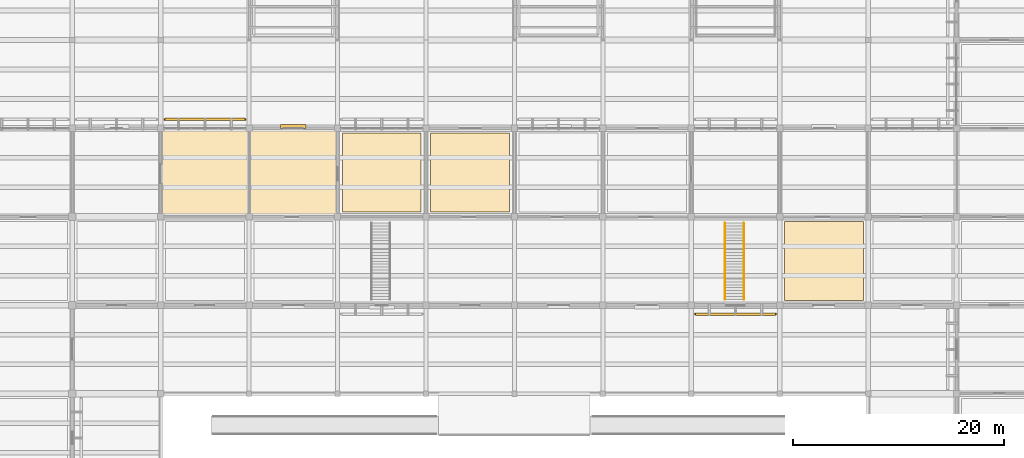
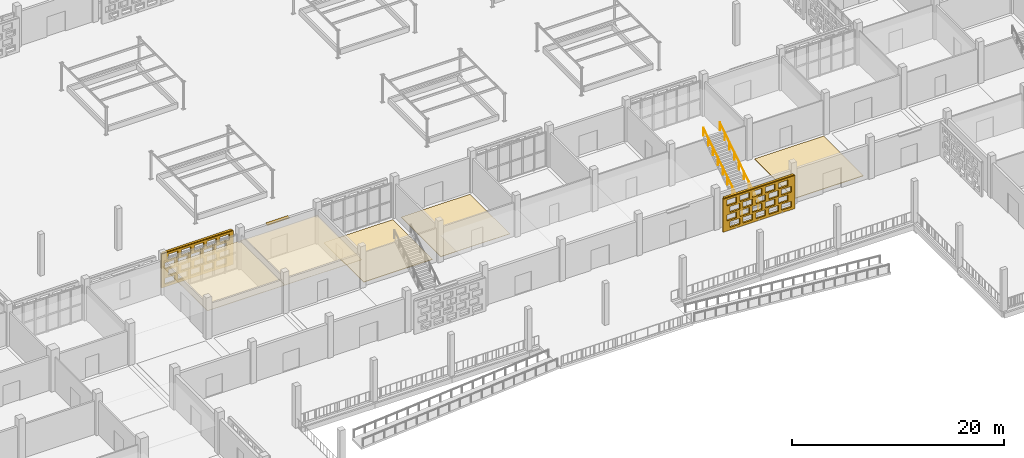
# One storey, part 93 of 129: 7 coverings, 3 shading devices, 2 railings, 40 openings.
"""IFC4 building model written with IfcOpenShell, lengths in metres."""

from ifc_helpers import new_model, si_unit, direction, frame, frame_2d, origin, origin_2d, place, context, subcontext, project, spatial, rectangle, circle, extrude, material, layer, layer_set, type_object, element, save


model = new_model("IFC4")

# Units and contexts
model_context = context("Model", 3, precision=1e-05, world=origin(), true_north=direction((0.0, 1.0)))
body_context = subcontext(model_context, "Body", "Model", "MODEL_VIEW")
ifc_project = project(units=[si_unit("LENGTHUNIT", "METRE"), si_unit("AREAUNIT", "SQUARE_METRE"), si_unit("VOLUMEUNIT", "CUBIC_METRE"), si_unit("PLANEANGLEUNIT", "RADIAN"), si_unit("MASSUNIT", "GRAM", prefix="KILO")], contexts=[model_context])

# Site, building, storey
site_placement = place(None, origin())
site = spatial("IfcSite", under=ifc_project, at=site_placement, CompositionType="ELEMENT")
building_placement = place(site_placement, origin())
building = spatial("IfcBuilding", under=site, at=building_placement, Name="Varnapada Polytechnic", CompositionType="ELEMENT")
storey_placement = place(building_placement, origin())
storey = spatial("IfcBuildingStorey", under=building, at=storey_placement, Name="L00", CompositionType="ELEMENT", Elevation=0.0)

# Coverings
ifc_material_1 = material(Name="Anti-Static Raised Laboratory Flooring")
ifc_layer_1 = layer(ifc_material_1, 0.06005859375)
ifc_layer_set_1 = layer_set([ifc_layer_1], Name="Anti-Static Raised Laboratory Flooring")
covering_type_1 = type_object("IfcCoveringType", Name="Floor Finish FLR-02", PredefinedType="FLOORING", material=ifc_layer_set_1)
for number, where, z_axis, x_axis, name in (
    (1, (79.800048828125, 37.800048828125, 0.0), (0.0, 0.0, 1.0), (1.0, 0.0, 0.0), "L00 floor finish panel (10,5)"),
    (2, (121.800048828125, 29.39990234375, 0.0), (0.0, 0.0, 1.0), (1.0, 0.0, 0.0), "L00 floor finish panel (15,4)"),
):
    element("IfcCovering", number, at=place(storey_placement, frame(where, z_axis=z_axis, x_axis=x_axis)), inside=storey, type_object=covering_type_1, Name=name, PredefinedType="FLOORING", context=body_context, shape_type="SweptSolid", body=[
        extrude(rectangle(XDim=7.5, YDim=7.5, at=origin_2d()), origin(), (0.0, 0.0, 1.0), 0.06005859375),
    ])
ifc_material_2 = material(Name="Acoustic Rubber Seminar Flooring")
ifc_layer_2 = layer(ifc_material_2, 0.0400390625)
ifc_layer_set_2 = layer_set([ifc_layer_2], Name="Acoustic Rubber Seminar Flooring")
covering_type_2 = type_object("IfcCoveringType", Name="Floor Finish FLR-06", PredefinedType="FLOORING", material=ifc_layer_set_2)
covering_1_placement = place(storey_placement, frame((88.199951171875, 37.800048828125, 0.0), z_axis=(0.0, 0.0, 1.0), x_axis=(1.0, 0.0, 0.0)))
element("IfcCovering", 3, at=covering_1_placement, inside=storey, type_object=covering_type_2, Name="L00 floor finish panel (11,5)", PredefinedType="FLOORING", context=body_context, shape_type="SweptSolid", body=[
    extrude(rectangle(XDim=7.5, YDim=7.5, at=origin_2d()), origin(), (0.0, 0.0, 1.0), 0.0400390625),
])

# Shading device
ifc_material_3 = material(Name="Anodised aluminium", Category="aluminium")
ifc_layer_3 = layer(ifc_material_3, 0.35009765625)
ifc_layer_set_3 = layer_set([ifc_layer_3], Name="Anodised aluminium")
shading_device_type_1 = type_object("IfcShadingDeviceType", Name="Solar Louvre LVR-01", PredefinedType="JALOUSIE", material=ifc_layer_set_3)
shading_device_placement = place(storey_placement, frame((71.39990234375, 42.179931640625, 3.760009765625), z_axis=(0.0, 0.0, 1.0), x_axis=(1.0, 0.0, 0.0)))
element("IfcShadingDevice", 4, at=shading_device_placement, inside=storey, type_object=shading_device_type_1, Name="L00 aluminium sun louvre 49", PredefinedType="JALOUSIE", context=body_context, shape_type="SweptSolid", body=[
    extrude(rectangle(XDim=2.39990234375, YDim=0.340087890625, at=origin_2d()), origin(), (0.0, 0.0, 1.0), 0.1201171875),
])

# Railings
ifc_material_4 = material(Name="Brushed Stainless Steel 316", Category="steel")
railing_type = type_object("IfcRailingType", Name="Stair Wall Handrail SHR-01", PredefinedType="HANDRAIL", material=ifc_material_4)
for number, where, name in (
    (5, (112.409912109375, 25.75, 0.177734375), "L00 commons stair ST-F6 handrail L"),
    (6, (114.18994140625, 25.75, 0.177734375), "L00 commons stair ST-F6 handrail R"),
):
    element("IfcRailing", number, at=place(storey_placement, frame(where)), inside=storey, type_object=railing_type, Name=name, PredefinedType="HANDRAIL", context=body_context, shape_type="SweptSolid", body=[
        extrude(circle(Radius=0.02392578125, at=origin_2d()), frame((0.0, 0.0, 0.8759765625), z_axis=(0.0, 0.84320402991, 0.537593679226), x_axis=(-1.0, 0.0, 0.0)), (0.0, 0.0, 1.0), 8.59814453125),
        extrude(circle(Radius=0.02099609375, at=origin_2d()), origin(), (0.0, 0.0, 1.0), 0.851806640625),
        extrude(circle(Radius=0.02099609375, at=origin_2d()), frame((0.0, 0.90625, 0.577880859375)), (0.0, 0.0, 1.0), 0.851806640625),
        extrude(circle(Radius=0.02099609375, at=origin_2d()), frame((0.0, 1.8125, 1.155517578125)), (0.0, 0.0, 1.0), 0.851806640625),
        extrude(circle(Radius=0.02099609375, at=origin_2d()), frame((0.0, 2.71875, 1.7333984375)), (0.0, 0.0, 1.0), 0.851806640625),
        extrude(circle(Radius=0.02099609375, at=origin_2d()), frame((0.0, 3.625, 2.31103515625)), (0.0, 0.0, 1.0), 0.851806640625),
        extrude(circle(Radius=0.02099609375, at=origin_2d()), frame((0.0, 4.53125, 2.888916015625)), (0.0, 0.0, 1.0), 0.851806640625),
        extrude(circle(Radius=0.02099609375, at=origin_2d()), frame((0.0, 5.4375, 3.466796875)), (0.0, 0.0, 1.0), 0.851806640625),
        extrude(circle(Radius=0.02099609375, at=origin_2d()), frame((0.0, 6.34375, 4.04443359375)), (0.0, 0.0, 1.0), 0.851806640625),
        extrude(circle(Radius=0.02099609375, at=origin_2d()), frame((0.0, 7.25, 4.622314453125)), (0.0, 0.0, 1.0), 0.851806640625),
    ])

# Coverings
ifc_material_5 = material(Name="Perforated Timber Slatted Baffle Ceiling", Category="wood")
ifc_layer_4 = layer(ifc_material_5, 0.050048828125)
ifc_layer_set_4 = layer_set([ifc_layer_4], Name="Perforated Timber Slatted Baffle Ceiling")
covering_type_3 = type_object("IfcCoveringType", Name="Suspended Ceiling CLG-02", PredefinedType="CEILING", material=ifc_layer_set_4)
covering_2_placement = place(storey_placement, frame((63.0, 37.800048828125, 3.02490234375), z_axis=(0.0, 0.0, 1.0), x_axis=(1.0, 0.0, 0.0)))
element("IfcCovering", 7, at=covering_2_placement, inside=storey, type_object=covering_type_3, Name="L00 suspended acoustic ceiling (8,5)", PredefinedType="CEILING", context=body_context, shape_type="SweptSolid", body=[
    extrude(rectangle(XDim=8.419921875, YDim=8.419921875, at=origin_2d()), origin(), (0.0, 0.0, 1.0), 0.050048828125),
])
ifc_material_6 = material(Name="Cleanroom Laboratory Metal Pan Ceiling")
ifc_layer_5 = layer(ifc_material_6, 0.034912109375)
ifc_layer_set_5 = layer_set([ifc_layer_5], Name="Cleanroom Laboratory Metal Pan Ceiling")
covering_type_4 = type_object("IfcCoveringType", Name="Suspended Ceiling CLG-06", PredefinedType="CEILING", material=ifc_layer_set_5)
covering_3_placement = place(storey_placement, frame((71.39990234375, 37.800048828125, 3.03271484375), z_axis=(0.0, 0.0, 1.0), x_axis=(1.0, 0.0, 0.0)))
element("IfcCovering", 8, at=covering_3_placement, inside=storey, type_object=covering_type_4, Name="L00 suspended acoustic ceiling (9,5)", PredefinedType="CEILING", context=body_context, shape_type="SweptSolid", body=[
    extrude(rectangle(XDim=8.419921875, YDim=8.419921875, at=origin_2d()), origin(), (0.0, 0.0, 1.0), 0.034912109375),
])

# Covering, openings
ifc_material_7 = material(Name="Earth-toned architectural terracotta screen block", Category="masonry")
ifc_layer_6 = layer(ifc_material_7, 0.1201171875)
ifc_layer_set_6 = layer_set([ifc_layer_6], Name="Earth-toned architectural terracotta screen block")
covering_type_5 = type_object("IfcCoveringType", Name="Terracotta Screen Cladding CLD-01", PredefinedType="CLADDING", material=ifc_layer_set_6)
covering_4_placement = place(storey_placement, frame((59.10009765625, 42.85009765625, 0.0), z_axis=(0.0, 0.0, 1.0), x_axis=(1.0, 0.0, 0.0)))
covering_4 = element("IfcCovering", 9, at=covering_4_placement, inside=storey, type_object=covering_type_5, Name="L00 perforated terracotta block screen (45)", PredefinedType="CLADDING", context=body_context, shape_type="SweptSolid", body=[
    extrude(rectangle(XDim=7.7998046875, YDim=0.179931640625, at=frame_2d((3.89990234375, 0.0))), origin(), (0.0, 0.0, 1.0), 3.919921875),
])
opening_1_placement = place(covering_4_placement, frame((0.39990234375, 0.0, 0.313720703125)))
element("IfcOpeningElement", 10, at=opening_1_placement, cuts=covering_4, Name="Screen perforation TBS-L00-044.1", PredefinedType="OPENING", context=body_context, shape_type="SweptSolid", body=[
    extrude(rectangle(XDim=1.0400390625, YDim=0.679931640625, at=frame_2d((0.52001953125, 0.33984375))), frame((0.0, 0.099853515625, 0.0), z_axis=(0.0, -1.0, 0.0), x_axis=(1.0, 0.0, 0.0)), (0.0, 0.0, 1.0), 0.199951171875),
])
opening_2_placement = place(covering_4_placement, frame((1.800048828125, 0.0, 0.313720703125)))
element("IfcOpeningElement", 11, at=opening_2_placement, cuts=covering_4, Name="Screen perforation TBS-L00-044.2", PredefinedType="OPENING", context=body_context, shape_type="SweptSolid", body=[
    extrude(rectangle(XDim=1.0400390625, YDim=0.679931640625, at=frame_2d((0.52001953125, 0.33984375))), frame((0.0, 0.099853515625, 0.0), z_axis=(0.0, -1.0, 0.0), x_axis=(1.0, 0.0, 0.0)), (0.0, 0.0, 1.0), 0.199951171875),
])
opening_3_placement = place(covering_4_placement, frame((3.199951171875, 0.0, 0.313720703125)))
element("IfcOpeningElement", 12, at=opening_3_placement, cuts=covering_4, Name="Screen perforation TBS-L00-044.3", PredefinedType="OPENING", context=body_context, shape_type="SweptSolid", body=[
    extrude(rectangle(XDim=1.0400390625, YDim=0.679931640625, at=frame_2d((0.52001953125, 0.33984375))), frame((0.0, 0.099853515625, 0.0), z_axis=(0.0, -1.0, 0.0), x_axis=(1.0, 0.0, 0.0)), (0.0, 0.0, 1.0), 0.199951171875),
])
opening_4_placement = place(covering_4_placement, frame((4.60009765625, 0.0, 0.313720703125)))
element("IfcOpeningElement", 13, at=opening_4_placement, cuts=covering_4, Name="Screen perforation TBS-L00-044.4", PredefinedType="OPENING", context=body_context, shape_type="SweptSolid", body=[
    extrude(rectangle(XDim=1.0400390625, YDim=0.679931640625, at=frame_2d((0.52001953125, 0.33984375))), frame((0.0, 0.099853515625, 0.0), z_axis=(0.0, -1.0, 0.0), x_axis=(1.0, 0.0, 0.0)), (0.0, 0.0, 1.0), 0.199951171875),
])
opening_5_placement = place(covering_4_placement, frame((6.0, 0.0, 0.313720703125)))
element("IfcOpeningElement", 14, at=opening_5_placement, cuts=covering_4, Name="Screen perforation TBS-L00-044.5", PredefinedType="OPENING", context=body_context, shape_type="SweptSolid", body=[
    extrude(rectangle(XDim=1.0400390625, YDim=0.679931640625, at=frame_2d((0.52001953125, 0.33984375))), frame((0.0, 0.099853515625, 0.0), z_axis=(0.0, -1.0, 0.0), x_axis=(1.0, 0.0, 0.0)), (0.0, 0.0, 1.0), 0.199951171875),
])
opening_6_placement = place(covering_4_placement, frame((0.760009765625, 0.0, 1.195556640625)))
element("IfcOpeningElement", 15, at=opening_6_placement, cuts=covering_4, Name="Screen perforation TBS-L00-044.6", PredefinedType="OPENING", context=body_context, shape_type="SweptSolid", body=[
    extrude(rectangle(XDim=1.0400390625, YDim=0.679931640625, at=frame_2d((0.52001953125, 0.33984375))), frame((0.0, 0.099853515625, 0.0), z_axis=(0.0, -1.0, 0.0), x_axis=(1.0, 0.0, 0.0)), (0.0, 0.0, 1.0), 0.199951171875),
])
opening_7_placement = place(covering_4_placement, frame((2.159912109375, 0.0, 1.195556640625)))
element("IfcOpeningElement", 16, at=opening_7_placement, cuts=covering_4, Name="Screen perforation TBS-L00-044.7", PredefinedType="OPENING", context=body_context, shape_type="SweptSolid", body=[
    extrude(rectangle(XDim=1.0400390625, YDim=0.679931640625, at=frame_2d((0.52001953125, 0.33984375))), frame((0.0, 0.099853515625, 0.0), z_axis=(0.0, -1.0, 0.0), x_axis=(1.0, 0.0, 0.0)), (0.0, 0.0, 1.0), 0.199951171875),
])
opening_8_placement = place(covering_4_placement, frame((3.56005859375, 0.0, 1.195556640625)))
element("IfcOpeningElement", 17, at=opening_8_placement, cuts=covering_4, Name="Screen perforation TBS-L00-044.8", PredefinedType="OPENING", context=body_context, shape_type="SweptSolid", body=[
    extrude(rectangle(XDim=1.0400390625, YDim=0.679931640625, at=frame_2d((0.52001953125, 0.33984375))), frame((0.0, 0.099853515625, 0.0), z_axis=(0.0, -1.0, 0.0), x_axis=(1.0, 0.0, 0.0)), (0.0, 0.0, 1.0), 0.199951171875),
])
opening_9_placement = place(covering_4_placement, frame((4.9599609375, 0.0, 1.195556640625)))
element("IfcOpeningElement", 18, at=opening_9_placement, cuts=covering_4, Name="Screen perforation TBS-L00-044.9", PredefinedType="OPENING", context=body_context, shape_type="SweptSolid", body=[
    extrude(rectangle(XDim=1.0400390625, YDim=0.679931640625, at=frame_2d((0.52001953125, 0.33984375))), frame((0.0, 0.099853515625, 0.0), z_axis=(0.0, -1.0, 0.0), x_axis=(1.0, 0.0, 0.0)), (0.0, 0.0, 1.0), 0.199951171875),
])
opening_10_placement = place(covering_4_placement, frame((6.360107421875, 0.0, 1.195556640625)))
element("IfcOpeningElement", 19, at=opening_10_placement, cuts=covering_4, Name="Screen perforation TBS-L00-044.10", PredefinedType="OPENING", context=body_context, shape_type="SweptSolid", body=[
    extrude(rectangle(XDim=1.0400390625, YDim=0.679931640625, at=frame_2d((0.52001953125, 0.33984375))), frame((0.0, 0.099853515625, 0.0), z_axis=(0.0, -1.0, 0.0), x_axis=(1.0, 0.0, 0.0)), (0.0, 0.0, 1.0), 0.199951171875),
])
opening_11_placement = place(covering_4_placement, frame((0.39990234375, 0.0, 2.07763671875)))
element("IfcOpeningElement", 20, at=opening_11_placement, cuts=covering_4, Name="Screen perforation TBS-L00-044.11", PredefinedType="OPENING", context=body_context, shape_type="SweptSolid", body=[
    extrude(rectangle(XDim=1.0400390625, YDim=0.679931640625, at=frame_2d((0.52001953125, 0.33984375))), frame((0.0, 0.099853515625, 0.0), z_axis=(0.0, -1.0, 0.0), x_axis=(1.0, 0.0, 0.0)), (0.0, 0.0, 1.0), 0.199951171875),
])
opening_12_placement = place(covering_4_placement, frame((1.800048828125, 0.0, 2.07763671875)))
element("IfcOpeningElement", 21, at=opening_12_placement, cuts=covering_4, Name="Screen perforation TBS-L00-044.12", PredefinedType="OPENING", context=body_context, shape_type="SweptSolid", body=[
    extrude(rectangle(XDim=1.0400390625, YDim=0.679931640625, at=frame_2d((0.52001953125, 0.33984375))), frame((0.0, 0.099853515625, 0.0), z_axis=(0.0, -1.0, 0.0), x_axis=(1.0, 0.0, 0.0)), (0.0, 0.0, 1.0), 0.199951171875),
])
opening_13_placement = place(covering_4_placement, frame((3.199951171875, 0.0, 2.07763671875)))
element("IfcOpeningElement", 22, at=opening_13_placement, cuts=covering_4, Name="Screen perforation TBS-L00-044.13", PredefinedType="OPENING", context=body_context, shape_type="SweptSolid", body=[
    extrude(rectangle(XDim=1.0400390625, YDim=0.679931640625, at=frame_2d((0.52001953125, 0.33984375))), frame((0.0, 0.099853515625, 0.0), z_axis=(0.0, -1.0, 0.0), x_axis=(1.0, 0.0, 0.0)), (0.0, 0.0, 1.0), 0.199951171875),
])
opening_14_placement = place(covering_4_placement, frame((4.60009765625, 0.0, 2.07763671875)))
element("IfcOpeningElement", 23, at=opening_14_placement, cuts=covering_4, Name="Screen perforation TBS-L00-044.14", PredefinedType="OPENING", context=body_context, shape_type="SweptSolid", body=[
    extrude(rectangle(XDim=1.0400390625, YDim=0.679931640625, at=frame_2d((0.52001953125, 0.33984375))), frame((0.0, 0.099853515625, 0.0), z_axis=(0.0, -1.0, 0.0), x_axis=(1.0, 0.0, 0.0)), (0.0, 0.0, 1.0), 0.199951171875),
])
opening_15_placement = place(covering_4_placement, frame((6.0, 0.0, 2.07763671875)))
element("IfcOpeningElement", 24, at=opening_15_placement, cuts=covering_4, Name="Screen perforation TBS-L00-044.15", PredefinedType="OPENING", context=body_context, shape_type="SweptSolid", body=[
    extrude(rectangle(XDim=1.0400390625, YDim=0.679931640625, at=frame_2d((0.52001953125, 0.33984375))), frame((0.0, 0.099853515625, 0.0), z_axis=(0.0, -1.0, 0.0), x_axis=(1.0, 0.0, 0.0)), (0.0, 0.0, 1.0), 0.199951171875),
])
opening_16_placement = place(covering_4_placement, frame((0.760009765625, 0.0, 2.959716796875)))
element("IfcOpeningElement", 25, at=opening_16_placement, cuts=covering_4, Name="Screen perforation TBS-L00-044.16", PredefinedType="OPENING", context=body_context, shape_type="SweptSolid", body=[
    extrude(rectangle(XDim=1.0400390625, YDim=0.679931640625, at=frame_2d((0.52001953125, 0.33984375))), frame((0.0, 0.099853515625, 0.0), z_axis=(0.0, -1.0, 0.0), x_axis=(1.0, 0.0, 0.0)), (0.0, 0.0, 1.0), 0.199951171875),
])
opening_17_placement = place(covering_4_placement, frame((2.159912109375, 0.0, 2.959716796875)))
element("IfcOpeningElement", 26, at=opening_17_placement, cuts=covering_4, Name="Screen perforation TBS-L00-044.17", PredefinedType="OPENING", context=body_context, shape_type="SweptSolid", body=[
    extrude(rectangle(XDim=1.0400390625, YDim=0.679931640625, at=frame_2d((0.52001953125, 0.33984375))), frame((0.0, 0.099853515625, 0.0), z_axis=(0.0, -1.0, 0.0), x_axis=(1.0, 0.0, 0.0)), (0.0, 0.0, 1.0), 0.199951171875),
])
opening_18_placement = place(covering_4_placement, frame((3.56005859375, 0.0, 2.959716796875)))
element("IfcOpeningElement", 27, at=opening_18_placement, cuts=covering_4, Name="Screen perforation TBS-L00-044.18", PredefinedType="OPENING", context=body_context, shape_type="SweptSolid", body=[
    extrude(rectangle(XDim=1.0400390625, YDim=0.679931640625, at=frame_2d((0.52001953125, 0.33984375))), frame((0.0, 0.099853515625, 0.0), z_axis=(0.0, -1.0, 0.0), x_axis=(1.0, 0.0, 0.0)), (0.0, 0.0, 1.0), 0.199951171875),
])
opening_19_placement = place(covering_4_placement, frame((4.9599609375, 0.0, 2.959716796875)))
element("IfcOpeningElement", 28, at=opening_19_placement, cuts=covering_4, Name="Screen perforation TBS-L00-044.19", PredefinedType="OPENING", context=body_context, shape_type="SweptSolid", body=[
    extrude(rectangle(XDim=1.0400390625, YDim=0.679931640625, at=frame_2d((0.52001953125, 0.33984375))), frame((0.0, 0.099853515625, 0.0), z_axis=(0.0, -1.0, 0.0), x_axis=(1.0, 0.0, 0.0)), (0.0, 0.0, 1.0), 0.199951171875),
])
opening_20_placement = place(covering_4_placement, frame((6.360107421875, 0.0, 2.959716796875)))
element("IfcOpeningElement", 29, at=opening_20_placement, cuts=covering_4, Name="Screen perforation TBS-L00-044.20", PredefinedType="OPENING", context=body_context, shape_type="SweptSolid", body=[
    extrude(rectangle(XDim=1.0400390625, YDim=0.679931640625, at=frame_2d((0.52001953125, 0.33984375))), frame((0.0, 0.099853515625, 0.0), z_axis=(0.0, -1.0, 0.0), x_axis=(1.0, 0.0, 0.0)), (0.0, 0.0, 1.0), 0.199951171875),
])

covering_5_placement = place(storey_placement, frame((117.300048828125, 24.35009765625, 0.0), z_axis=(0.0, 0.0, 1.0), x_axis=(-1.0, 0.0, 0.0)))
covering_5 = element("IfcCovering", 30, at=covering_5_placement, inside=storey, type_object=covering_type_5, Name="L00 perforated terracotta block screen (68)", PredefinedType="CLADDING", context=body_context, shape_type="SweptSolid", body=[
    extrude(rectangle(XDim=7.800048828125, YDim=0.179931640625, at=frame_2d((3.89990234375, 0.0))), origin(), (0.0, 0.0, 1.0), 3.830078125),
])
opening_21_placement = place(covering_5_placement, frame((0.39990234375, 0.0, 0.306396484375)))
element("IfcOpeningElement", 31, at=opening_21_placement, cuts=covering_5, Name="Screen perforation TBS-L00-067.1", PredefinedType="OPENING", context=body_context, shape_type="SweptSolid", body=[
    extrude(rectangle(XDim=1.0400390625, YDim=0.67041015625, at=frame_2d((0.52001953125, 0.335205078125))), frame((0.0, 0.099853515625, 0.0), z_axis=(0.0, -1.0, 0.0), x_axis=(1.0, 0.0, 0.0)), (0.0, 0.0, 1.0), 0.199951171875),
])
opening_22_placement = place(covering_5_placement, frame((1.800048828125, 0.0, 0.306396484375)))
element("IfcOpeningElement", 32, at=opening_22_placement, cuts=covering_5, Name="Screen perforation TBS-L00-067.2", PredefinedType="OPENING", context=body_context, shape_type="SweptSolid", body=[
    extrude(rectangle(XDim=1.0400390625, YDim=0.67041015625, at=frame_2d((0.52001953125, 0.335205078125))), frame((0.0, 0.099853515625, 0.0), z_axis=(0.0, -1.0, 0.0), x_axis=(1.0, 0.0, 0.0)), (0.0, 0.0, 1.0), 0.199951171875),
])
opening_23_placement = place(covering_5_placement, frame((3.199951171875, 0.0, 0.306396484375)))
element("IfcOpeningElement", 33, at=opening_23_placement, cuts=covering_5, Name="Screen perforation TBS-L00-067.3", PredefinedType="OPENING", context=body_context, shape_type="SweptSolid", body=[
    extrude(rectangle(XDim=1.0400390625, YDim=0.67041015625, at=frame_2d((0.52001953125, 0.335205078125))), frame((0.0, 0.099853515625, 0.0), z_axis=(0.0, -1.0, 0.0), x_axis=(1.0, 0.0, 0.0)), (0.0, 0.0, 1.0), 0.199951171875),
])
opening_24_placement = place(covering_5_placement, frame((4.60009765625, 0.0, 0.306396484375)))
element("IfcOpeningElement", 34, at=opening_24_placement, cuts=covering_5, Name="Screen perforation TBS-L00-067.4", PredefinedType="OPENING", context=body_context, shape_type="SweptSolid", body=[
    extrude(rectangle(XDim=1.0400390625, YDim=0.67041015625, at=frame_2d((0.52001953125, 0.335205078125))), frame((0.0, 0.099853515625, 0.0), z_axis=(0.0, -1.0, 0.0), x_axis=(1.0, 0.0, 0.0)), (0.0, 0.0, 1.0), 0.199951171875),
])
opening_25_placement = place(covering_5_placement, frame((6.0, 0.0, 0.306396484375)))
element("IfcOpeningElement", 35, at=opening_25_placement, cuts=covering_5, Name="Screen perforation TBS-L00-067.5", PredefinedType="OPENING", context=body_context, shape_type="SweptSolid", body=[
    extrude(rectangle(XDim=1.0400390625, YDim=0.67041015625, at=frame_2d((0.52001953125, 0.335205078125))), frame((0.0, 0.099853515625, 0.0), z_axis=(0.0, -1.0, 0.0), x_axis=(1.0, 0.0, 0.0)), (0.0, 0.0, 1.0), 0.199951171875),
])
opening_26_placement = place(covering_5_placement, frame((0.760009765625, 0.0, 1.168212890625)))
element("IfcOpeningElement", 36, at=opening_26_placement, cuts=covering_5, Name="Screen perforation TBS-L00-067.6", PredefinedType="OPENING", context=body_context, shape_type="SweptSolid", body=[
    extrude(rectangle(XDim=1.0400390625, YDim=0.67041015625, at=frame_2d((0.52001953125, 0.335205078125))), frame((0.0, 0.099853515625, 0.0), z_axis=(0.0, -1.0, 0.0), x_axis=(1.0, 0.0, 0.0)), (0.0, 0.0, 1.0), 0.199951171875),
])
opening_27_placement = place(covering_5_placement, frame((2.159912109375, 0.0, 1.168212890625)))
element("IfcOpeningElement", 37, at=opening_27_placement, cuts=covering_5, Name="Screen perforation TBS-L00-067.7", PredefinedType="OPENING", context=body_context, shape_type="SweptSolid", body=[
    extrude(rectangle(XDim=1.0400390625, YDim=0.67041015625, at=frame_2d((0.52001953125, 0.335205078125))), frame((0.0, 0.099853515625, 0.0), z_axis=(0.0, -1.0, 0.0), x_axis=(1.0, 0.0, 0.0)), (0.0, 0.0, 1.0), 0.199951171875),
])
opening_28_placement = place(covering_5_placement, frame((3.56005859375, 0.0, 1.168212890625)))
element("IfcOpeningElement", 38, at=opening_28_placement, cuts=covering_5, Name="Screen perforation TBS-L00-067.8", PredefinedType="OPENING", context=body_context, shape_type="SweptSolid", body=[
    extrude(rectangle(XDim=1.0400390625, YDim=0.67041015625, at=frame_2d((0.52001953125, 0.335205078125))), frame((0.0, 0.099853515625, 0.0), z_axis=(0.0, -1.0, 0.0), x_axis=(1.0, 0.0, 0.0)), (0.0, 0.0, 1.0), 0.199951171875),
])
opening_29_placement = place(covering_5_placement, frame((4.9599609375, 0.0, 1.168212890625)))
element("IfcOpeningElement", 39, at=opening_29_placement, cuts=covering_5, Name="Screen perforation TBS-L00-067.9", PredefinedType="OPENING", context=body_context, shape_type="SweptSolid", body=[
    extrude(rectangle(XDim=1.0400390625, YDim=0.67041015625, at=frame_2d((0.52001953125, 0.335205078125))), frame((0.0, 0.099853515625, 0.0), z_axis=(0.0, -1.0, 0.0), x_axis=(1.0, 0.0, 0.0)), (0.0, 0.0, 1.0), 0.199951171875),
])
opening_30_placement = place(covering_5_placement, frame((6.360107421875, 0.0, 1.168212890625)))
element("IfcOpeningElement", 40, at=opening_30_placement, cuts=covering_5, Name="Screen perforation TBS-L00-067.10", PredefinedType="OPENING", context=body_context, shape_type="SweptSolid", body=[
    extrude(rectangle(XDim=1.0400390625, YDim=0.67041015625, at=frame_2d((0.52001953125, 0.335205078125))), frame((0.0, 0.099853515625, 0.0), z_axis=(0.0, -1.0, 0.0), x_axis=(1.0, 0.0, 0.0)), (0.0, 0.0, 1.0), 0.199951171875),
])
opening_31_placement = place(covering_5_placement, frame((0.39990234375, 0.0, 2.02978515625)))
element("IfcOpeningElement", 41, at=opening_31_placement, cuts=covering_5, Name="Screen perforation TBS-L00-067.11", PredefinedType="OPENING", context=body_context, shape_type="SweptSolid", body=[
    extrude(rectangle(XDim=1.0400390625, YDim=0.67041015625, at=frame_2d((0.52001953125, 0.335205078125))), frame((0.0, 0.099853515625, 0.0), z_axis=(0.0, -1.0, 0.0), x_axis=(1.0, 0.0, 0.0)), (0.0, 0.0, 1.0), 0.199951171875),
])
opening_32_placement = place(covering_5_placement, frame((1.800048828125, 0.0, 2.02978515625)))
element("IfcOpeningElement", 42, at=opening_32_placement, cuts=covering_5, Name="Screen perforation TBS-L00-067.12", PredefinedType="OPENING", context=body_context, shape_type="SweptSolid", body=[
    extrude(rectangle(XDim=1.0400390625, YDim=0.67041015625, at=frame_2d((0.52001953125, 0.335205078125))), frame((0.0, 0.099853515625, 0.0), z_axis=(0.0, -1.0, 0.0), x_axis=(1.0, 0.0, 0.0)), (0.0, 0.0, 1.0), 0.199951171875),
])
opening_33_placement = place(covering_5_placement, frame((3.199951171875, 0.0, 2.02978515625)))
element("IfcOpeningElement", 43, at=opening_33_placement, cuts=covering_5, Name="Screen perforation TBS-L00-067.13", PredefinedType="OPENING", context=body_context, shape_type="SweptSolid", body=[
    extrude(rectangle(XDim=1.0400390625, YDim=0.67041015625, at=frame_2d((0.52001953125, 0.335205078125))), frame((0.0, 0.099853515625, 0.0), z_axis=(0.0, -1.0, 0.0), x_axis=(1.0, 0.0, 0.0)), (0.0, 0.0, 1.0), 0.199951171875),
])
opening_34_placement = place(covering_5_placement, frame((4.60009765625, 0.0, 2.02978515625)))
element("IfcOpeningElement", 44, at=opening_34_placement, cuts=covering_5, Name="Screen perforation TBS-L00-067.14", PredefinedType="OPENING", context=body_context, shape_type="SweptSolid", body=[
    extrude(rectangle(XDim=1.0400390625, YDim=0.67041015625, at=frame_2d((0.52001953125, 0.335205078125))), frame((0.0, 0.099853515625, 0.0), z_axis=(0.0, -1.0, 0.0), x_axis=(1.0, 0.0, 0.0)), (0.0, 0.0, 1.0), 0.199951171875),
])
opening_35_placement = place(covering_5_placement, frame((6.0, 0.0, 2.02978515625)))
element("IfcOpeningElement", 45, at=opening_35_placement, cuts=covering_5, Name="Screen perforation TBS-L00-067.15", PredefinedType="OPENING", context=body_context, shape_type="SweptSolid", body=[
    extrude(rectangle(XDim=1.0400390625, YDim=0.67041015625, at=frame_2d((0.52001953125, 0.335205078125))), frame((0.0, 0.099853515625, 0.0), z_axis=(0.0, -1.0, 0.0), x_axis=(1.0, 0.0, 0.0)), (0.0, 0.0, 1.0), 0.199951171875),
])
opening_36_placement = place(covering_5_placement, frame((0.760009765625, 0.0, 2.8916015625)))
element("IfcOpeningElement", 46, at=opening_36_placement, cuts=covering_5, Name="Screen perforation TBS-L00-067.16", PredefinedType="OPENING", context=body_context, shape_type="SweptSolid", body=[
    extrude(rectangle(XDim=1.0400390625, YDim=0.67041015625, at=frame_2d((0.52001953125, 0.335205078125))), frame((0.0, 0.099853515625, 0.0), z_axis=(0.0, -1.0, 0.0), x_axis=(1.0, 0.0, 0.0)), (0.0, 0.0, 1.0), 0.199951171875),
])
opening_37_placement = place(covering_5_placement, frame((2.159912109375, 0.0, 2.8916015625)))
element("IfcOpeningElement", 47, at=opening_37_placement, cuts=covering_5, Name="Screen perforation TBS-L00-067.17", PredefinedType="OPENING", context=body_context, shape_type="SweptSolid", body=[
    extrude(rectangle(XDim=1.0400390625, YDim=0.67041015625, at=frame_2d((0.52001953125, 0.335205078125))), frame((0.0, 0.099853515625, 0.0), z_axis=(0.0, -1.0, 0.0), x_axis=(1.0, 0.0, 0.0)), (0.0, 0.0, 1.0), 0.199951171875),
])
opening_38_placement = place(covering_5_placement, frame((3.56005859375, 0.0, 2.8916015625)))
element("IfcOpeningElement", 48, at=opening_38_placement, cuts=covering_5, Name="Screen perforation TBS-L00-067.18", PredefinedType="OPENING", context=body_context, shape_type="SweptSolid", body=[
    extrude(rectangle(XDim=1.0400390625, YDim=0.67041015625, at=frame_2d((0.52001953125, 0.335205078125))), frame((0.0, 0.099853515625, 0.0), z_axis=(0.0, -1.0, 0.0), x_axis=(1.0, 0.0, 0.0)), (0.0, 0.0, 1.0), 0.199951171875),
])
opening_39_placement = place(covering_5_placement, frame((4.9599609375, 0.0, 2.8916015625)))
element("IfcOpeningElement", 49, at=opening_39_placement, cuts=covering_5, Name="Screen perforation TBS-L00-067.19", PredefinedType="OPENING", context=body_context, shape_type="SweptSolid", body=[
    extrude(rectangle(XDim=1.0400390625, YDim=0.67041015625, at=frame_2d((0.52001953125, 0.335205078125))), frame((0.0, 0.099853515625, 0.0), z_axis=(0.0, -1.0, 0.0), x_axis=(1.0, 0.0, 0.0)), (0.0, 0.0, 1.0), 0.199951171875),
])
opening_40_placement = place(covering_5_placement, frame((6.360107421875, 0.0, 2.8916015625)))
element("IfcOpeningElement", 50, at=opening_40_placement, cuts=covering_5, Name="Screen perforation TBS-L00-067.20", PredefinedType="OPENING", context=body_context, shape_type="SweptSolid", body=[
    extrude(rectangle(XDim=1.0400390625, YDim=0.67041015625, at=frame_2d((0.52001953125, 0.335205078125))), frame((0.0, 0.099853515625, 0.0), z_axis=(0.0, -1.0, 0.0), x_axis=(1.0, 0.0, 0.0)), (0.0, 0.0, 1.0), 0.199951171875),
])

# Shading devices
ifc_layer_7 = layer(ifc_material_7, 0.179931640625)
ifc_layer_set_7 = layer_set([ifc_layer_7], Name="Earth-toned architectural terracotta screen block")
shading_device_type_2 = type_object("IfcShadingDeviceType", Name="Terracotta Screen SCR-02", PredefinedType="USERDEFINED", material=ifc_layer_set_7)
for number, where, z_axis, x_axis, name in (
    (51, (63.0, 42.85009765625, 3.909912109375), (0.0, 0.0, 1.0), (1.0, 0.0, 0.0), "L00 perforated terracotta screen hood 34"),
    (52, (113.39990234375, 24.35009765625, 3.820068359375), (0.0, 0.0, 1.0), (-1.0, 0.0, 0.0), "L00 perforated terracotta screen hood 47"),
):
    element("IfcShadingDevice", number, at=place(storey_placement, frame(where, z_axis=z_axis, x_axis=x_axis)), inside=storey, type_object=shading_device_type_2, Name=name, ObjectType="SCREEN", PredefinedType="USERDEFINED", context=body_context, shape_type="SweptSolid", body=[
        extrude(rectangle(XDim=7.60009765625, YDim=0.239990234375, at=origin_2d()), origin(), (0.0, 0.0, 1.0), 0.10009765625),
    ])

save(model, "model.ifc")
